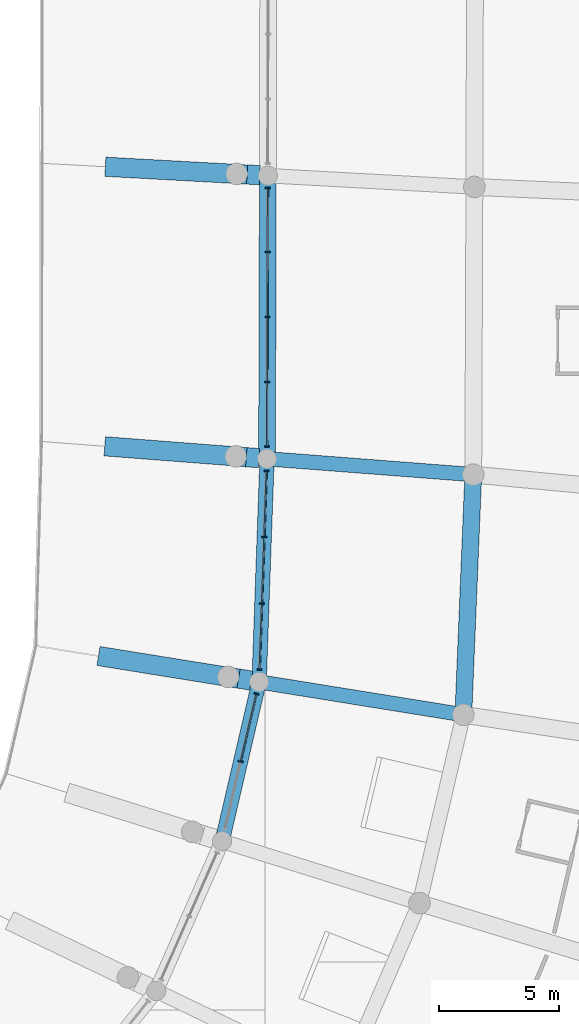
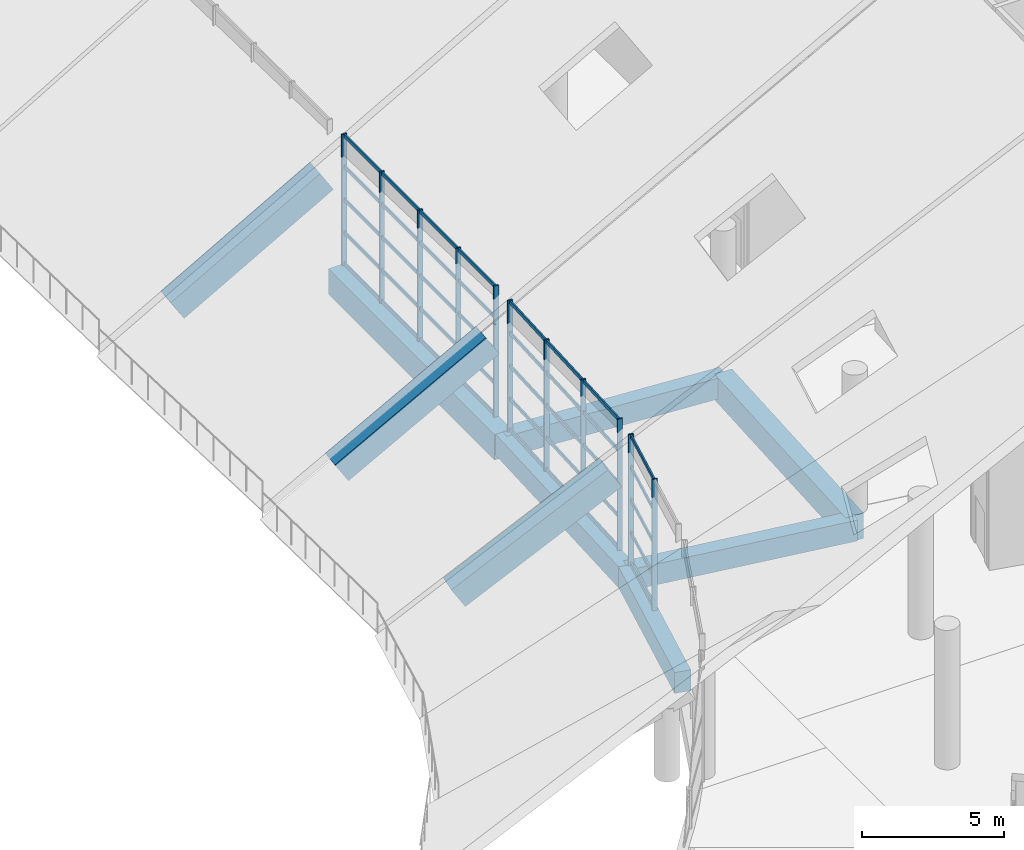
# One storey, part 41 of 249: 51 members, 9 beams, 3 elements without a shape of their own.
"""IFC4 building model written with IfcOpenShell, lengths in metres."""

import ifcopenshell
import ifcopenshell.guid

model = None  # the IFC model being written
_history = None  # IfcOwnerHistory: only IFC2X3 demands one
_inside = {}  # id of a spatial element -> (the spatial element, [elements in it])
_under = {}  # id of a project, library or spatial element -> (it, [spatial elements below it])
_declared = {}  # id of a project -> (the project, [libraries it declares])
_typed = {}  # id of a type object -> (the type object, [elements of that type])
_made_of = {}  # id of a material, layer set ... -> (it, [elements and type objects made of it])


def new_model(schema):
    """Start an empty IFC model of exactly this schema.

    Asked for "IFC4X3", IfcOpenShell would pick the latest addendum, in which some entities
    have other attributes; the version numbers below select the first issue.
    IFC2X3 requires an IfcOwnerHistory on every rooted entity: one is made here for all.
    """
    global model, _history
    if schema == "IFC4X3":
        model = ifcopenshell.file(schema_version=(4, 3, 0, 0))
    else:
        model = ifcopenshell.file(schema=schema)
    _inside.clear()
    _under.clear()
    _declared.clear()
    _typed.clear()
    _made_of.clear()
    _history = None
    if model.schema == "IFC2X3":
        org = make("IfcOrganization", Name="unknown")
        user = make(
            "IfcPersonAndOrganization",
            ThePerson=make("IfcPerson", FamilyName="unknown"),
            TheOrganization=org,
        )
        app = make(
            "IfcApplication",
            ApplicationDeveloper=org,
            Version="unknown",
            ApplicationFullName="unknown",
            ApplicationIdentifier="unknown",
        )
        _history = make(
            "IfcOwnerHistory",
            OwningUser=user,
            OwningApplication=app,
            ChangeAction="ADDED",
            CreationDate=0,
        )
    return model


def make(cls, **values):
    """One entity of the class cls with the attributes given. An attribute that is None is left unset."""
    return model.create_entity(
        cls, **{name: value for name, value in values.items() if value is not None}
    )


def rooted(cls, **values):
    """An entity with a GlobalId (a new one), such as an element, a storey or a relation."""
    return make(cls, GlobalId=ifcopenshell.guid.new(), OwnerHistory=_history, **values)


def si_unit(unit_type, name, prefix=None):
    """IfcSIUnit, for example si_unit("LENGTHUNIT", "METRE", prefix="MILLI")."""
    return make("IfcSIUnit", UnitType=unit_type, Prefix=prefix, Name=name)


def assignment(units):
    """IfcUnitAssignment: the units of a project."""
    return None if units is None else make("IfcUnitAssignment", Units=units)


def point(xyz):
    """IfcCartesianPoint."""
    return None if xyz is None else make("IfcCartesianPoint", Coordinates=xyz)


def direction(xyz):
    """IfcDirection."""
    return None if xyz is None else make("IfcDirection", DirectionRatios=xyz)


def frame(location, z_axis=None, x_axis=None):
    """IfcAxis2Placement3D, a coordinate frame: its origin and axes. An axis left out is left unset."""
    return make(
        "IfcAxis2Placement3D",
        Location=point(location),
        Axis=direction(z_axis),
        RefDirection=direction(x_axis),
    )


def frame_2d(location, x_axis=None):
    """IfcAxis2Placement2D, a coordinate frame in the plane: its origin and x axis."""
    return make(
        "IfcAxis2Placement2D", Location=point(location), RefDirection=direction(x_axis)
    )


def origin():
    """The frame at (0, 0, 0) with its axes left unset."""
    return frame((0.0, 0.0, 0.0))


def origin_2d():
    """The frame at (0, 0) in the plane with its x axis left unset."""
    return frame_2d((0.0, 0.0))


def place(relative_to, where):
    """IfcLocalPlacement: puts the frame where relative to a parent placement (None: the world)."""
    return make(
        "IfcLocalPlacement", PlacementRelTo=relative_to, RelativePlacement=where
    )


def context(
    kind, dimensions, precision=None, world=None, true_north=None, identifier=None
):
    """IfcGeometricRepresentationContext, for example the 3D "Model" context."""
    return make(
        "IfcGeometricRepresentationContext",
        ContextIdentifier=identifier,
        ContextType=kind,
        CoordinateSpaceDimension=dimensions,
        Precision=precision,
        WorldCoordinateSystem=world,
        TrueNorth=true_north,
    )


def subcontext(parent, identifier, kind, view, scale=None):
    """IfcGeometricRepresentationSubContext, for example "Body" below "Model"."""
    return make(
        "IfcGeometricRepresentationSubContext",
        ContextIdentifier=identifier,
        ContextType=kind,
        ParentContext=parent,
        TargetScale=scale,
        TargetView=view,
    )


def project(units=None, contexts=None):
    """IfcProject with its units and contexts."""
    return rooted(
        "IfcProject",
        Name="project",
        RepresentationContexts=contexts,
        UnitsInContext=assignment(units),
    )


def spatial(cls, under=None, at=None, **own):
    """A site, building, storey or space (cls), placed at a placement, below another one or the project."""
    s = rooted(cls, ObjectPlacement=at, **own)
    if under is not None:
        _under.setdefault(under.id(), (under, []))[1].append(s)
    return s


def profile(cls, at=None, kind="AREA", **sizes):
    """A parametric profile (cls). Its sizes go by their IFC names, for example OverallWidth=200.0."""
    return make(cls, ProfileType=kind, Position=at, **sizes)


def rectangle(**sizes):
    """IfcRectangleProfileDef."""
    return profile("IfcRectangleProfileDef", **sizes)


def extrude(swept, where, along, depth):
    """IfcExtrudedAreaSolid: the profile swept, set in the frame where, extruded along a direction by depth."""
    return make(
        "IfcExtrudedAreaSolid",
        SweptArea=swept,
        Position=where,
        ExtrudedDirection=direction(along),
        Depth=depth,
    )


def shape(context_of_items, identifier, shape_type, items):
    """IfcShapeRepresentation: the items that make up one representation, for example the "Body"."""
    return make(
        "IfcShapeRepresentation",
        ContextOfItems=context_of_items,
        RepresentationIdentifier=identifier,
        RepresentationType=shape_type,
        Items=items,
    )


def material(Name=None, Category=None):
    """IfcMaterial."""
    return make("IfcMaterial", Name=Name, Category=Category)


def layer(
    of_material, thickness, ventilated=None, Name=None, Category=None, Priority=None
):
    """IfcMaterialLayer: one layer of a wall or slab, of a material (None: an air gap)."""
    return make(
        "IfcMaterialLayer",
        Material=of_material,
        LayerThickness=thickness,
        IsVentilated=ventilated,
        Name=Name,
        Category=Category,
        Priority=Priority,
    )


def layer_set(layers, Name=None):
    """IfcMaterialLayerSet."""
    return make("IfcMaterialLayerSet", MaterialLayers=layers, LayerSetName=Name)


def material_profile(
    of_material, cross_section, Name=None, Category=None, Priority=None
):
    """IfcMaterialProfile: a cross section and its material."""
    return make(
        "IfcMaterialProfile",
        Name=Name,
        Material=of_material,
        Profile=cross_section,
        Priority=Priority,
        Category=Category,
    )


def profile_set(profiles, Name=None, composite=None):
    """IfcMaterialProfileSet."""
    return make(
        "IfcMaterialProfileSet",
        Name=Name,
        MaterialProfiles=profiles,
        CompositeProfile=composite,
    )


def made_of(thing, what):
    """Note that an element or type object is made of a material, layer set ...; save() writes the relation."""
    if what is not None:
        _made_of.setdefault(what.id(), (what, []))[1].append(thing)
    return thing


def type_object(cls, material=None, **own):
    """A type object (cls), such as IfcWallType, which elements share."""
    return made_of(rooted(cls, **own), material)


def element(
    cls,
    number,
    at=None,
    inside=None,
    cuts=None,
    type_object=None,
    material=None,
    context=None,
    identifier="Body",
    shape_type=None,
    held_by="IfcProductDefinitionShape",
    body=None,
    shapes=None,
    **own,
):
    """One element of the class cls, such as IfcWall. Its Tag is "e" and its number.

    at: its placement. inside: the storey or other place that contains it. cuts: it is an
    opening in that element (IfcRelVoidsElement). A single representation is given by context,
    identifier, shape_type and body (its items); several are given by shapes. held_by: the class
    of the entity that holds the representations. save() writes the other relations.
    """
    e = rooted(cls, Tag="e%d" % number, ObjectPlacement=at, **own)
    if body is not None:
        shapes = [shape(context, identifier, shape_type, body)]
    if shapes is not None:
        e.Representation = make(held_by, Representations=shapes)
    if inside is not None:
        _inside.setdefault(inside.id(), (inside, []))[1].append(e)
    if cuts is not None:
        rooted(
            "IfcRelVoidsElement", RelatingBuildingElement=cuts, RelatedOpeningElement=e
        )
    if type_object is not None:
        _typed.setdefault(type_object.id(), (type_object, []))[1].append(e)
    return made_of(e, material)


def aggregate(whole, parts):
    """IfcRelAggregates: a whole, such as a stair, and the parts it consists of."""
    return rooted("IfcRelAggregates", RelatingObject=whole, RelatedObjects=parts)


def save(model, path):
    """Write the relations noted so far, then the file.

    IfcRelAggregates (storeys below a building ...), IfcRelContainedInSpatialStructure (elements
    in a storey), IfcRelDefinesByType, IfcRelAssociatesMaterial and IfcRelDeclares: one each for
    every whole, place, type object, material and project.
    """
    for whole, parts in _under.values():
        aggregate(whole, parts)
    for where, things in _inside.values():
        rooted(
            "IfcRelContainedInSpatialStructure",
            RelatedElements=things,
            RelatingStructure=where,
        )
    for kind, things in _typed.values():
        rooted("IfcRelDefinesByType", RelatedObjects=things, RelatingType=kind)
    for what, things in _made_of.values():
        rooted("IfcRelAssociatesMaterial", RelatedObjects=things, RelatingMaterial=what)
    for by, libraries in _declared.values():
        rooted("IfcRelDeclares", RelatingContext=by, RelatedDefinitions=libraries)
    model.write(path)


model = new_model("IFC4")

# Units and contexts
model_context = context("Model", 3, precision=1e-05, world=origin(), true_north=direction((0.0, 1.0)))
body_context = subcontext(model_context, "Body", "Model", "MODEL_VIEW")
ifc_project = project(units=[si_unit("LENGTHUNIT", "METRE"), si_unit("AREAUNIT", "SQUARE_METRE"), si_unit("VOLUMEUNIT", "CUBIC_METRE"), si_unit("PLANEANGLEUNIT", "RADIAN"), si_unit("MASSUNIT", "GRAM", prefix="KILO")], contexts=[model_context])

# Site, building, storey
site_placement = place(None, origin())
site = spatial("IfcSite", under=ifc_project, at=site_placement, CompositionType="ELEMENT")
building_placement = place(site_placement, origin())
building = spatial("IfcBuilding", under=site, at=building_placement, Name="Meseta Stadium", CompositionType="ELEMENT")
storey_placement = place(building_placement, frame((0.0, 0.0, 12.0)))
storey = spatial("IfcBuildingStorey", under=building, at=storey_placement, Name="L02", CompositionType="ELEMENT", Elevation=12.0)

# Curtain wall, members
ifc_material_1 = material(Name="Aluminium", Category="aluminium")
ifc_layer = layer(ifc_material_1, 0.199951171875)
ifc_layer_set = layer_set([ifc_layer], Name="Suite glazing curtain wall")
curtain_wall_type = type_object("IfcCurtainWallType", Name="Suite glazing curtain wall", PredefinedType="NOTDEFINED", material=ifc_layer_set)
curtain_wall_1_placement = place(storey_placement, origin())
curtain_wall_1 = element("IfcCurtainWall", 1, at=curtain_wall_1_placement, inside=storey, type_object=curtain_wall_type, Name="Suite glazing bay 00", PredefinedType="NOTDEFINED")
ifc_material_2 = material(Name="Aluminium", Category="aluminium")
ifc_material_profile_1 = material_profile(ifc_material_2, rectangle(XDim=0.199951171875, YDim=0.06005859375, at=origin_2d()), Name="CW 200x60")
ifc_profile_set_1 = profile_set([ifc_material_profile_1], Name="Aluminium")
member_type_1 = type_object("IfcMemberType", Name="CW mullion 60x200", PredefinedType="MULLION", material=ifc_profile_set_1)
member_1_placement = place(storey_placement, frame((64.519775390625, -49.96728515625, 0.0), z_axis=(0.0, 0.0, 1.0), x_axis=(-0.999374260798, 0.035370706156, 0.0)))
member_1 = element("IfcMember", 2, at=member_1_placement, type_object=member_type_1, Name="CWS mullion 1", PredefinedType="MULLION", context=body_context, shape_type="SweptSolid", body=[
    extrude(rectangle(XDim=0.199951171875, YDim=0.06005859375, at=origin_2d()), origin(), (0.0, 0.0, 1.0), 5.64990234375),
])
member_2_placement = place(storey_placement, frame((64.61669921875, -47.225830078125, 0.0), z_axis=(0.0, 0.0, 1.0), x_axis=(-0.999374260798, 0.035370706156, 0.0)))
member_2 = element("IfcMember", 3, at=member_2_placement, type_object=member_type_1, Name="CWS mullion 2", PredefinedType="MULLION", context=body_context, shape_type="SweptSolid", body=[
    extrude(rectangle(XDim=0.199951171875, YDim=0.06005859375, at=origin_2d()), origin(), (0.0, 0.0, 1.0), 5.64990234375),
])
member_3_placement = place(storey_placement, frame((64.71484375, -44.45458984375, 0.0), z_axis=(0.0, 0.0, 1.0), x_axis=(-0.999374260798, 0.035370706156, 0.0)))
member_3 = element("IfcMember", 4, at=member_3_placement, type_object=member_type_1, Name="CWS mullion 3", PredefinedType="MULLION", context=body_context, shape_type="SweptSolid", body=[
    extrude(rectangle(XDim=0.199951171875, YDim=0.06005859375, at=origin_2d()), origin(), (0.0, 0.0, 1.0), 5.64990234375),
])
member_4_placement = place(storey_placement, frame((64.81201171875, -41.713134765625, 0.0), z_axis=(0.0, 0.0, 1.0), x_axis=(-0.999374260798, 0.035370706156, 0.0)))
member_4 = element("IfcMember", 5, at=member_4_placement, type_object=member_type_1, Name="CWS mullion 4", PredefinedType="MULLION", context=body_context, shape_type="SweptSolid", body=[
    extrude(rectangle(XDim=0.199951171875, YDim=0.06005859375, at=origin_2d()), origin(), (0.0, 0.0, 1.0), 5.64990234375),
])

curtain_wall_2_placement = place(storey_placement, origin())
curtain_wall_2 = element("IfcCurtainWall", 6, at=curtain_wall_2_placement, inside=storey, type_object=curtain_wall_type, Name="Suite glazing bay 01", PredefinedType="NOTDEFINED")
member_5_placement = place(storey_placement, frame((64.831298828125, -40.69384765625, 0.0), z_axis=(0.0, 0.0, 1.0), x_axis=(-0.999995765919, 0.002910007458, 0.0)))
member_5 = element("IfcMember", 7, at=member_5_placement, type_object=member_type_1, Name="CWS mullion 1", PredefinedType="MULLION", context=body_context, shape_type="SweptSolid", body=[
    extrude(rectangle(XDim=0.199951171875, YDim=0.06005859375, at=origin_2d()), origin(), (0.0, 0.0, 1.0), 5.64990234375),
])
member_6_placement = place(storey_placement, frame((64.839111328125, -38.02099609375, 0.0), z_axis=(0.0, 0.0, 1.0), x_axis=(-0.999995765919, 0.002910007458, 0.0)))
member_6 = element("IfcMember", 8, at=member_6_placement, type_object=member_type_1, Name="CWS mullion 2", PredefinedType="MULLION", context=body_context, shape_type="SweptSolid", body=[
    extrude(rectangle(XDim=0.199951171875, YDim=0.06005859375, at=origin_2d()), origin(), (0.0, 0.0, 1.0), 5.64990234375),
])
member_7_placement = place(storey_placement, frame((64.846923828125, -35.318359375, 0.0), z_axis=(0.0, 0.0, 1.0), x_axis=(-0.999995765919, 0.002910007458, 0.0)))
member_7 = element("IfcMember", 9, at=member_7_placement, type_object=member_type_1, Name="CWS mullion 3", PredefinedType="MULLION", context=body_context, shape_type="SweptSolid", body=[
    extrude(rectangle(XDim=0.199951171875, YDim=0.06005859375, at=origin_2d()), origin(), (0.0, 0.0, 1.0), 5.64990234375),
])
member_8_placement = place(storey_placement, frame((64.85498046875, -32.61572265625, 0.0), z_axis=(0.0, 0.0, 1.0), x_axis=(-0.999995765919, 0.002910007458, 0.0)))
member_8 = element("IfcMember", 10, at=member_8_placement, type_object=member_type_1, Name="CWS mullion 4", PredefinedType="MULLION", context=body_context, shape_type="SweptSolid", body=[
    extrude(rectangle(XDim=0.199951171875, YDim=0.06005859375, at=origin_2d()), origin(), (0.0, 0.0, 1.0), 5.64990234375),
])
member_9_placement = place(storey_placement, frame((64.86279296875, -29.94287109375, 0.0), z_axis=(0.0, 0.0, 1.0), x_axis=(-0.999995765919, 0.002910007458, 0.0)))
member_9 = element("IfcMember", 11, at=member_9_placement, type_object=member_type_1, Name="CWS mullion 5", PredefinedType="MULLION", context=body_context, shape_type="SweptSolid", body=[
    extrude(rectangle(XDim=0.199951171875, YDim=0.06005859375, at=origin_2d()), origin(), (0.0, 0.0, 1.0), 5.64990234375),
])

curtain_wall_3_placement = place(storey_placement, origin())
curtain_wall_3 = element("IfcCurtainWall", 12, at=curtain_wall_3_placement, inside=storey, type_object=curtain_wall_type, Name="Suite glazing bay 55", PredefinedType="NOTDEFINED")
member_10_placement = place(storey_placement, frame((63.732666015625, -53.7919921875, 0.0), z_axis=(0.0, 0.0, 1.0), x_axis=(-0.974092857522, 0.226148413492, 0.0)))
member_10 = element("IfcMember", 13, at=member_10_placement, type_object=member_type_1, Name="CWS mullion 2", PredefinedType="MULLION", context=body_context, shape_type="SweptSolid", body=[
    extrude(rectangle(XDim=0.199951171875, YDim=0.06005859375, at=origin_2d()), origin(), (0.0, 0.0, 1.0), 5.64990234375),
])
member_11_placement = place(storey_placement, frame((64.38623046875, -50.9765625, 0.0), z_axis=(0.0, 0.0, 1.0), x_axis=(-0.974092857522, 0.226148413492, 0.0)))
member_11 = element("IfcMember", 14, at=member_11_placement, type_object=member_type_1, Name="CWS mullion 3", PredefinedType="MULLION", context=body_context, shape_type="SweptSolid", body=[
    extrude(rectangle(XDim=0.199951171875, YDim=0.06005859375, at=origin_2d()), origin(), (0.0, 0.0, 1.0), 5.64990234375),
])

# Member
ifc_material_3 = material(Name="Aluminium", Category="aluminium")
ifc_material_profile_2 = material_profile(ifc_material_3, rectangle(XDim=0.06005859375, YDim=0.14990234375, at=origin_2d()), Name="CW 60x150")
ifc_profile_set_2 = profile_set([ifc_material_profile_2], Name="Aluminium")
member_type_2 = type_object("IfcMemberType", Name="CW transom 60x150", PredefinedType="USERDEFINED", material=ifc_profile_set_2)
member_12_placement = place(storey_placement, frame((64.520751953125, -49.937255859375, 0.074951171875), z_axis=(0.035396179242, 0.999373358908, 0.0), x_axis=(-0.999373358908, 0.035396179242, 0.0)))
member_12 = element("IfcMember", 15, at=member_12_placement, type_object=member_type_2, Name="CWS transom 1.1", ObjectType="TRANSOM", PredefinedType="USERDEFINED", context=body_context, shape_type="SweptSolid", body=[
    extrude(rectangle(XDim=0.06005859375, YDim=0.14990234375, at=origin_2d()), origin(), (0.0, 0.0, 1.0), 2.68310546875),
])

member_13_placement = place(storey_placement, frame((64.520751953125, -49.937255859375, 1.41259765625), z_axis=(0.035396179242, 0.999373358908, 0.0), x_axis=(-0.999373358908, 0.035396179242, 0.0)))
member_13 = element("IfcMember", 16, at=member_13_placement, type_object=member_type_2, Name="CWS transom 1.2", ObjectType="TRANSOM", PredefinedType="USERDEFINED", context=body_context, shape_type="SweptSolid", body=[
    extrude(rectangle(XDim=0.06005859375, YDim=0.14990234375, at=origin_2d()), origin(), (0.0, 0.0, 1.0), 2.68310546875),
])

member_14_placement = place(storey_placement, frame((64.520751953125, -49.937255859375, 2.824951171875), z_axis=(0.035396179242, 0.999373358908, 0.0), x_axis=(-0.999373358908, 0.035396179242, 0.0)))
member_14 = element("IfcMember", 17, at=member_14_placement, type_object=member_type_2, Name="CWS transom 1.3", ObjectType="TRANSOM", PredefinedType="USERDEFINED", context=body_context, shape_type="SweptSolid", body=[
    extrude(rectangle(XDim=0.06005859375, YDim=0.14990234375, at=origin_2d()), origin(), (0.0, 0.0, 1.0), 2.68310546875),
])

member_15_placement = place(storey_placement, frame((64.520751953125, -49.937255859375, 4.237548828125), z_axis=(0.035396179242, 0.999373358908, 0.0), x_axis=(-0.999373358908, 0.035396179242, 0.0)))
member_15 = element("IfcMember", 18, at=member_15_placement, type_object=member_type_2, Name="CWS transom 1.4", ObjectType="TRANSOM", PredefinedType="USERDEFINED", context=body_context, shape_type="SweptSolid", body=[
    extrude(rectangle(XDim=0.06005859375, YDim=0.14990234375, at=origin_2d()), origin(), (0.0, 0.0, 1.0), 2.68310546875),
])

member_16_placement = place(storey_placement, frame((64.520751953125, -49.937255859375, 5.574951171875), z_axis=(0.035396179242, 0.999373358908, 0.0), x_axis=(-0.999373358908, 0.035396179242, 0.0)))
member_16 = element("IfcMember", 19, at=member_16_placement, type_object=member_type_2, Name="CWS transom 1.5", ObjectType="TRANSOM", PredefinedType="USERDEFINED", context=body_context, shape_type="SweptSolid", body=[
    extrude(rectangle(XDim=0.06005859375, YDim=0.14990234375, at=origin_2d()), origin(), (0.0, 0.0, 1.0), 2.68310546875),
])

member_17_placement = place(storey_placement, frame((64.617919921875, -47.196044921875, 0.074951171875), z_axis=(0.035360963356, 0.999374605576, 0.0), x_axis=(-0.999374605576, 0.035360963356, 0.0)))
member_17 = element("IfcMember", 20, at=member_17_placement, type_object=member_type_2, Name="CWS transom 2.1", ObjectType="TRANSOM", PredefinedType="USERDEFINED", context=body_context, shape_type="SweptSolid", body=[
    extrude(rectangle(XDim=0.06005859375, YDim=0.14990234375, at=origin_2d()), origin(), (0.0, 0.0, 1.0), 2.71337890625),
])

member_18_placement = place(storey_placement, frame((64.617919921875, -47.196044921875, 1.41259765625), z_axis=(0.035360963356, 0.999374605576, 0.0), x_axis=(-0.999374605576, 0.035360963356, 0.0)))
member_18 = element("IfcMember", 21, at=member_18_placement, type_object=member_type_2, Name="CWS transom 2.2", ObjectType="TRANSOM", PredefinedType="USERDEFINED", context=body_context, shape_type="SweptSolid", body=[
    extrude(rectangle(XDim=0.06005859375, YDim=0.14990234375, at=origin_2d()), origin(), (0.0, 0.0, 1.0), 2.71337890625),
])

member_19_placement = place(storey_placement, frame((64.617919921875, -47.196044921875, 2.824951171875), z_axis=(0.035360963356, 0.999374605576, 0.0), x_axis=(-0.999374605576, 0.035360963356, 0.0)))
member_19 = element("IfcMember", 22, at=member_19_placement, type_object=member_type_2, Name="CWS transom 2.3", ObjectType="TRANSOM", PredefinedType="USERDEFINED", context=body_context, shape_type="SweptSolid", body=[
    extrude(rectangle(XDim=0.06005859375, YDim=0.14990234375, at=origin_2d()), origin(), (0.0, 0.0, 1.0), 2.71337890625),
])

member_20_placement = place(storey_placement, frame((64.617919921875, -47.196044921875, 4.237548828125), z_axis=(0.035360963356, 0.999374605576, 0.0), x_axis=(-0.999374605576, 0.035360963356, 0.0)))
member_20 = element("IfcMember", 23, at=member_20_placement, type_object=member_type_2, Name="CWS transom 2.4", ObjectType="TRANSOM", PredefinedType="USERDEFINED", context=body_context, shape_type="SweptSolid", body=[
    extrude(rectangle(XDim=0.06005859375, YDim=0.14990234375, at=origin_2d()), origin(), (0.0, 0.0, 1.0), 2.71337890625),
])

member_21_placement = place(storey_placement, frame((64.617919921875, -47.196044921875, 5.574951171875), z_axis=(0.035360963356, 0.999374605576, 0.0), x_axis=(-0.999374605576, 0.035360963356, 0.0)))
member_21 = element("IfcMember", 24, at=member_21_placement, type_object=member_type_2, Name="CWS transom 2.5", ObjectType="TRANSOM", PredefinedType="USERDEFINED", context=body_context, shape_type="SweptSolid", body=[
    extrude(rectangle(XDim=0.06005859375, YDim=0.14990234375, at=origin_2d()), origin(), (0.0, 0.0, 1.0), 2.71337890625),
])

member_22_placement = place(storey_placement, frame((64.7158203125, -44.424560546875, 0.074951171875), z_axis=(0.035392960757, 0.999373472896, 0.0), x_axis=(-0.999373472896, 0.035392960757, 0.0)))
member_22 = element("IfcMember", 25, at=member_22_placement, type_object=member_type_2, Name="CWS transom 3.1", ObjectType="TRANSOM", PredefinedType="USERDEFINED", context=body_context, shape_type="SweptSolid", body=[
    extrude(rectangle(XDim=0.06005859375, YDim=0.14990234375, at=origin_2d()), origin(), (0.0, 0.0, 1.0), 2.683349609375),
])

member_23_placement = place(storey_placement, frame((64.7158203125, -44.424560546875, 1.41259765625), z_axis=(0.035392960757, 0.999373472896, 0.0), x_axis=(-0.999373472896, 0.035392960757, 0.0)))
member_23 = element("IfcMember", 26, at=member_23_placement, type_object=member_type_2, Name="CWS transom 3.2", ObjectType="TRANSOM", PredefinedType="USERDEFINED", context=body_context, shape_type="SweptSolid", body=[
    extrude(rectangle(XDim=0.06005859375, YDim=0.14990234375, at=origin_2d()), origin(), (0.0, 0.0, 1.0), 2.683349609375),
])

member_24_placement = place(storey_placement, frame((64.7158203125, -44.424560546875, 2.824951171875), z_axis=(0.035392960757, 0.999373472896, 0.0), x_axis=(-0.999373472896, 0.035392960757, 0.0)))
member_24 = element("IfcMember", 27, at=member_24_placement, type_object=member_type_2, Name="CWS transom 3.3", ObjectType="TRANSOM", PredefinedType="USERDEFINED", context=body_context, shape_type="SweptSolid", body=[
    extrude(rectangle(XDim=0.06005859375, YDim=0.14990234375, at=origin_2d()), origin(), (0.0, 0.0, 1.0), 2.683349609375),
])

member_25_placement = place(storey_placement, frame((64.7158203125, -44.424560546875, 4.237548828125), z_axis=(0.035392960757, 0.999373472896, 0.0), x_axis=(-0.999373472896, 0.035392960757, 0.0)))
member_25 = element("IfcMember", 28, at=member_25_placement, type_object=member_type_2, Name="CWS transom 3.4", ObjectType="TRANSOM", PredefinedType="USERDEFINED", context=body_context, shape_type="SweptSolid", body=[
    extrude(rectangle(XDim=0.06005859375, YDim=0.14990234375, at=origin_2d()), origin(), (0.0, 0.0, 1.0), 2.683349609375),
])

member_26_placement = place(storey_placement, frame((64.7158203125, -44.424560546875, 5.574951171875), z_axis=(0.035392960757, 0.999373472896, 0.0), x_axis=(-0.999373472896, 0.035392960757, 0.0)))
member_26 = element("IfcMember", 29, at=member_26_placement, type_object=member_type_2, Name="CWS transom 3.5", ObjectType="TRANSOM", PredefinedType="USERDEFINED", context=body_context, shape_type="SweptSolid", body=[
    extrude(rectangle(XDim=0.06005859375, YDim=0.14990234375, at=origin_2d()), origin(), (0.0, 0.0, 1.0), 2.683349609375),
])

aggregate(curtain_wall_1, [member_1, member_2, member_3, member_4, member_12, member_13, member_14, member_15, member_16, member_17, member_18, member_19, member_20, member_21, member_22, member_23, member_24, member_25, member_26])

member_27_placement = place(storey_placement, frame((64.83154296875, -40.663818359375, 0.074951171875), z_axis=(0.002896642679, 0.999995804722, 0.0), x_axis=(-0.999995804722, 0.002896642679, 0.0)))
member_27 = element("IfcMember", 30, at=member_27_placement, type_object=member_type_2, Name="CWS transom 1.1", ObjectType="TRANSOM", PredefinedType="USERDEFINED", context=body_context, shape_type="SweptSolid", body=[
    extrude(rectangle(XDim=0.06005859375, YDim=0.14990234375, at=origin_2d()), origin(), (0.0, 0.0, 1.0), 2.61279296875),
])

member_28_placement = place(storey_placement, frame((64.83154296875, -40.663818359375, 1.41259765625), z_axis=(0.002896642679, 0.999995804722, 0.0), x_axis=(-0.999995804722, 0.002896642679, 0.0)))
member_28 = element("IfcMember", 31, at=member_28_placement, type_object=member_type_2, Name="CWS transom 1.2", ObjectType="TRANSOM", PredefinedType="USERDEFINED", context=body_context, shape_type="SweptSolid", body=[
    extrude(rectangle(XDim=0.06005859375, YDim=0.14990234375, at=origin_2d()), origin(), (0.0, 0.0, 1.0), 2.61279296875),
])

member_29_placement = place(storey_placement, frame((64.83154296875, -40.663818359375, 2.824951171875), z_axis=(0.002896642679, 0.999995804722, 0.0), x_axis=(-0.999995804722, 0.002896642679, 0.0)))
member_29 = element("IfcMember", 32, at=member_29_placement, type_object=member_type_2, Name="CWS transom 1.3", ObjectType="TRANSOM", PredefinedType="USERDEFINED", context=body_context, shape_type="SweptSolid", body=[
    extrude(rectangle(XDim=0.06005859375, YDim=0.14990234375, at=origin_2d()), origin(), (0.0, 0.0, 1.0), 2.61279296875),
])

member_30_placement = place(storey_placement, frame((64.83154296875, -40.663818359375, 4.237548828125), z_axis=(0.002896642679, 0.999995804722, 0.0), x_axis=(-0.999995804722, 0.002896642679, 0.0)))
member_30 = element("IfcMember", 33, at=member_30_placement, type_object=member_type_2, Name="CWS transom 1.4", ObjectType="TRANSOM", PredefinedType="USERDEFINED", context=body_context, shape_type="SweptSolid", body=[
    extrude(rectangle(XDim=0.06005859375, YDim=0.14990234375, at=origin_2d()), origin(), (0.0, 0.0, 1.0), 2.61279296875),
])

member_31_placement = place(storey_placement, frame((64.83154296875, -40.663818359375, 5.574951171875), z_axis=(0.002896642679, 0.999995804722, 0.0), x_axis=(-0.999995804722, 0.002896642679, 0.0)))
member_31 = element("IfcMember", 34, at=member_31_placement, type_object=member_type_2, Name="CWS transom 1.5", ObjectType="TRANSOM", PredefinedType="USERDEFINED", context=body_context, shape_type="SweptSolid", body=[
    extrude(rectangle(XDim=0.06005859375, YDim=0.14990234375, at=origin_2d()), origin(), (0.0, 0.0, 1.0), 2.61279296875),
])

member_32_placement = place(storey_placement, frame((64.83935546875, -37.990966796875, 0.074951171875), z_axis=(0.002863994167, 0.99999589876, 0.0), x_axis=(-0.99999589876, 0.002863994167, 0.0)))
member_32 = element("IfcMember", 35, at=member_32_placement, type_object=member_type_2, Name="CWS transom 2.1", ObjectType="TRANSOM", PredefinedType="USERDEFINED", context=body_context, shape_type="SweptSolid", body=[
    extrude(rectangle(XDim=0.06005859375, YDim=0.14990234375, at=origin_2d()), origin(), (0.0, 0.0, 1.0), 2.642578125),
])

member_33_placement = place(storey_placement, frame((64.83935546875, -37.990966796875, 1.41259765625), z_axis=(0.002863994167, 0.99999589876, 0.0), x_axis=(-0.99999589876, 0.002863994167, 0.0)))
member_33 = element("IfcMember", 36, at=member_33_placement, type_object=member_type_2, Name="CWS transom 2.2", ObjectType="TRANSOM", PredefinedType="USERDEFINED", context=body_context, shape_type="SweptSolid", body=[
    extrude(rectangle(XDim=0.06005859375, YDim=0.14990234375, at=origin_2d()), origin(), (0.0, 0.0, 1.0), 2.642578125),
])

member_34_placement = place(storey_placement, frame((64.83935546875, -37.990966796875, 2.824951171875), z_axis=(0.002863994167, 0.99999589876, 0.0), x_axis=(-0.99999589876, 0.002863994167, 0.0)))
member_34 = element("IfcMember", 37, at=member_34_placement, type_object=member_type_2, Name="CWS transom 2.3", ObjectType="TRANSOM", PredefinedType="USERDEFINED", context=body_context, shape_type="SweptSolid", body=[
    extrude(rectangle(XDim=0.06005859375, YDim=0.14990234375, at=origin_2d()), origin(), (0.0, 0.0, 1.0), 2.642578125),
])

member_35_placement = place(storey_placement, frame((64.83935546875, -37.990966796875, 4.237548828125), z_axis=(0.002863994167, 0.99999589876, 0.0), x_axis=(-0.99999589876, 0.002863994167, 0.0)))
member_35 = element("IfcMember", 38, at=member_35_placement, type_object=member_type_2, Name="CWS transom 2.4", ObjectType="TRANSOM", PredefinedType="USERDEFINED", context=body_context, shape_type="SweptSolid", body=[
    extrude(rectangle(XDim=0.06005859375, YDim=0.14990234375, at=origin_2d()), origin(), (0.0, 0.0, 1.0), 2.642578125),
])

member_36_placement = place(storey_placement, frame((64.83935546875, -37.990966796875, 5.574951171875), z_axis=(0.002863994167, 0.99999589876, 0.0), x_axis=(-0.99999589876, 0.002863994167, 0.0)))
member_36 = element("IfcMember", 39, at=member_36_placement, type_object=member_type_2, Name="CWS transom 2.5", ObjectType="TRANSOM", PredefinedType="USERDEFINED", context=body_context, shape_type="SweptSolid", body=[
    extrude(rectangle(XDim=0.06005859375, YDim=0.14990234375, at=origin_2d()), origin(), (0.0, 0.0, 1.0), 2.642578125),
])

member_37_placement = place(storey_placement, frame((64.84716796875, -35.288330078125, 0.074951171875), z_axis=(0.002863994167, 0.99999589876, 0.0), x_axis=(-0.99999589876, 0.002863994167, 0.0)))
member_37 = element("IfcMember", 40, at=member_37_placement, type_object=member_type_2, Name="CWS transom 3.1", ObjectType="TRANSOM", PredefinedType="USERDEFINED", context=body_context, shape_type="SweptSolid", body=[
    extrude(rectangle(XDim=0.06005859375, YDim=0.14990234375, at=origin_2d()), origin(), (0.0, 0.0, 1.0), 2.642578125),
])

member_38_placement = place(storey_placement, frame((64.84716796875, -35.288330078125, 1.41259765625), z_axis=(0.002863994167, 0.99999589876, 0.0), x_axis=(-0.99999589876, 0.002863994167, 0.0)))
member_38 = element("IfcMember", 41, at=member_38_placement, type_object=member_type_2, Name="CWS transom 3.2", ObjectType="TRANSOM", PredefinedType="USERDEFINED", context=body_context, shape_type="SweptSolid", body=[
    extrude(rectangle(XDim=0.06005859375, YDim=0.14990234375, at=origin_2d()), origin(), (0.0, 0.0, 1.0), 2.642578125),
])

member_39_placement = place(storey_placement, frame((64.84716796875, -35.288330078125, 2.824951171875), z_axis=(0.002863994167, 0.99999589876, 0.0), x_axis=(-0.99999589876, 0.002863994167, 0.0)))
member_39 = element("IfcMember", 42, at=member_39_placement, type_object=member_type_2, Name="CWS transom 3.3", ObjectType="TRANSOM", PredefinedType="USERDEFINED", context=body_context, shape_type="SweptSolid", body=[
    extrude(rectangle(XDim=0.06005859375, YDim=0.14990234375, at=origin_2d()), origin(), (0.0, 0.0, 1.0), 2.642578125),
])

member_40_placement = place(storey_placement, frame((64.84716796875, -35.288330078125, 4.237548828125), z_axis=(0.002863994167, 0.99999589876, 0.0), x_axis=(-0.99999589876, 0.002863994167, 0.0)))
member_40 = element("IfcMember", 43, at=member_40_placement, type_object=member_type_2, Name="CWS transom 3.4", ObjectType="TRANSOM", PredefinedType="USERDEFINED", context=body_context, shape_type="SweptSolid", body=[
    extrude(rectangle(XDim=0.06005859375, YDim=0.14990234375, at=origin_2d()), origin(), (0.0, 0.0, 1.0), 2.642578125),
])

member_41_placement = place(storey_placement, frame((64.84716796875, -35.288330078125, 5.574951171875), z_axis=(0.002863994167, 0.99999589876, 0.0), x_axis=(-0.99999589876, 0.002863994167, 0.0)))
member_41 = element("IfcMember", 44, at=member_41_placement, type_object=member_type_2, Name="CWS transom 3.5", ObjectType="TRANSOM", PredefinedType="USERDEFINED", context=body_context, shape_type="SweptSolid", body=[
    extrude(rectangle(XDim=0.06005859375, YDim=0.14990234375, at=origin_2d()), origin(), (0.0, 0.0, 1.0), 2.642578125),
])

member_42_placement = place(storey_placement, frame((64.85498046875, -32.585693359375, 0.074951171875), z_axis=(0.002896642679, 0.999995804722, 0.0), x_axis=(-0.999995804722, 0.002896642679, 0.0)))
member_42 = element("IfcMember", 45, at=member_42_placement, type_object=member_type_2, Name="CWS transom 4.1", ObjectType="TRANSOM", PredefinedType="USERDEFINED", context=body_context, shape_type="SweptSolid", body=[
    extrude(rectangle(XDim=0.06005859375, YDim=0.14990234375, at=origin_2d()), origin(), (0.0, 0.0, 1.0), 2.61279296875),
])

member_43_placement = place(storey_placement, frame((64.85498046875, -32.585693359375, 1.41259765625), z_axis=(0.002896642679, 0.999995804722, 0.0), x_axis=(-0.999995804722, 0.002896642679, 0.0)))
member_43 = element("IfcMember", 46, at=member_43_placement, type_object=member_type_2, Name="CWS transom 4.2", ObjectType="TRANSOM", PredefinedType="USERDEFINED", context=body_context, shape_type="SweptSolid", body=[
    extrude(rectangle(XDim=0.06005859375, YDim=0.14990234375, at=origin_2d()), origin(), (0.0, 0.0, 1.0), 2.61279296875),
])

member_44_placement = place(storey_placement, frame((64.85498046875, -32.585693359375, 2.824951171875), z_axis=(0.002896642679, 0.999995804722, 0.0), x_axis=(-0.999995804722, 0.002896642679, 0.0)))
member_44 = element("IfcMember", 47, at=member_44_placement, type_object=member_type_2, Name="CWS transom 4.3", ObjectType="TRANSOM", PredefinedType="USERDEFINED", context=body_context, shape_type="SweptSolid", body=[
    extrude(rectangle(XDim=0.06005859375, YDim=0.14990234375, at=origin_2d()), origin(), (0.0, 0.0, 1.0), 2.61279296875),
])

member_45_placement = place(storey_placement, frame((64.85498046875, -32.585693359375, 4.237548828125), z_axis=(0.002896642679, 0.999995804722, 0.0), x_axis=(-0.999995804722, 0.002896642679, 0.0)))
member_45 = element("IfcMember", 48, at=member_45_placement, type_object=member_type_2, Name="CWS transom 4.4", ObjectType="TRANSOM", PredefinedType="USERDEFINED", context=body_context, shape_type="SweptSolid", body=[
    extrude(rectangle(XDim=0.06005859375, YDim=0.14990234375, at=origin_2d()), origin(), (0.0, 0.0, 1.0), 2.61279296875),
])

member_46_placement = place(storey_placement, frame((64.85498046875, -32.585693359375, 5.574951171875), z_axis=(0.002896642679, 0.999995804722, 0.0), x_axis=(-0.999995804722, 0.002896642679, 0.0)))
member_46 = element("IfcMember", 49, at=member_46_placement, type_object=member_type_2, Name="CWS transom 4.5", ObjectType="TRANSOM", PredefinedType="USERDEFINED", context=body_context, shape_type="SweptSolid", body=[
    extrude(rectangle(XDim=0.06005859375, YDim=0.14990234375, at=origin_2d()), origin(), (0.0, 0.0, 1.0), 2.61279296875),
])

aggregate(curtain_wall_2, [member_5, member_6, member_7, member_8, member_9, member_27, member_28, member_29, member_30, member_31, member_32, member_33, member_34, member_35, member_36, member_37, member_38, member_39, member_40, member_41, member_42, member_43, member_44, member_45, member_46])

member_47_placement = place(storey_placement, frame((63.739501953125, -53.7626953125, 0.074951171875), z_axis=(0.226100473584, 0.974103986156, 0.0), x_axis=(-0.974103986156, 0.226100473584, 0.0)))
member_47 = element("IfcMember", 50, at=member_47_placement, type_object=member_type_2, Name="CWS transom 2.1", ObjectType="TRANSOM", PredefinedType="USERDEFINED", context=body_context, shape_type="SweptSolid", body=[
    extrude(rectangle(XDim=0.06005859375, YDim=0.14990234375, at=origin_2d()), origin(), (0.0, 0.0, 1.0), 2.830078125),
])

member_48_placement = place(storey_placement, frame((63.739501953125, -53.7626953125, 1.41259765625), z_axis=(0.226100473584, 0.974103986156, 0.0), x_axis=(-0.974103986156, 0.226100473584, 0.0)))
member_48 = element("IfcMember", 51, at=member_48_placement, type_object=member_type_2, Name="CWS transom 2.2", ObjectType="TRANSOM", PredefinedType="USERDEFINED", context=body_context, shape_type="SweptSolid", body=[
    extrude(rectangle(XDim=0.06005859375, YDim=0.14990234375, at=origin_2d()), origin(), (0.0, 0.0, 1.0), 2.830078125),
])

member_49_placement = place(storey_placement, frame((63.739501953125, -53.7626953125, 2.824951171875), z_axis=(0.226100473584, 0.974103986156, 0.0), x_axis=(-0.974103986156, 0.226100473584, 0.0)))
member_49 = element("IfcMember", 52, at=member_49_placement, type_object=member_type_2, Name="CWS transom 2.3", ObjectType="TRANSOM", PredefinedType="USERDEFINED", context=body_context, shape_type="SweptSolid", body=[
    extrude(rectangle(XDim=0.06005859375, YDim=0.14990234375, at=origin_2d()), origin(), (0.0, 0.0, 1.0), 2.830078125),
])

member_50_placement = place(storey_placement, frame((63.739501953125, -53.7626953125, 4.237548828125), z_axis=(0.226100473584, 0.974103986156, 0.0), x_axis=(-0.974103986156, 0.226100473584, 0.0)))
member_50 = element("IfcMember", 53, at=member_50_placement, type_object=member_type_2, Name="CWS transom 2.4", ObjectType="TRANSOM", PredefinedType="USERDEFINED", context=body_context, shape_type="SweptSolid", body=[
    extrude(rectangle(XDim=0.06005859375, YDim=0.14990234375, at=origin_2d()), origin(), (0.0, 0.0, 1.0), 2.830078125),
])

member_51_placement = place(storey_placement, frame((63.739501953125, -53.7626953125, 5.574951171875), z_axis=(0.226100473584, 0.974103986156, 0.0), x_axis=(-0.974103986156, 0.226100473584, 0.0)))
member_51 = element("IfcMember", 54, at=member_51_placement, type_object=member_type_2, Name="CWS transom 2.5", ObjectType="TRANSOM", PredefinedType="USERDEFINED", context=body_context, shape_type="SweptSolid", body=[
    extrude(rectangle(XDim=0.06005859375, YDim=0.14990234375, at=origin_2d()), origin(), (0.0, 0.0, 1.0), 2.830078125),
])

aggregate(curtain_wall_3, [member_10, member_11, member_47, member_48, member_49, member_50, member_51])

# Beams
ifc_material_4 = material(Name="Concrete C40/50", Category="concrete")
ifc_material_profile_3 = material_profile(ifc_material_4, rectangle(XDim=0.60009765625, YDim=0.89990234375, at=origin_2d()), Name="RC 600x900")
ifc_profile_set_3 = profile_set([ifc_material_profile_3], Name="Concrete C40/50")
beam_type_1 = type_object("IfcBeamType", Name="RC beam 600x900", PredefinedType="BEAM", material=ifc_profile_set_3)
beam_1_placement = place(storey_placement, frame((64.501708984375, -50.479736328125, -0.800048828125), z_axis=(0.035352824386, 0.999374893525, 0.0), x_axis=(-0.999374893525, 0.035352824386, 0.0)))
element("IfcBeam", 55, at=beam_1_placement, inside=storey, type_object=beam_type_1, Name="L02 ring beam frame 0 line D", PredefinedType="BEAM", context=body_context, shape_type="SweptSolid", body=[
    extrude(rectangle(XDim=0.60009765625, YDim=0.89990234375, at=origin_2d()), origin(), (0.0, 0.0, 1.0), 9.281494140625),
])
beam_2_placement = place(storey_placement, frame((62.963623046875, -57.1044921875, -0.800048828125), z_axis=(0.226157078617, 0.974090845759, 0.0), x_axis=(-0.974090845759, 0.226157078617, 0.0)))
element("IfcBeam", 56, at=beam_2_placement, inside=storey, type_object=beam_type_1, Name="L02 ring beam frame 55 line D", PredefinedType="BEAM", context=body_context, shape_type="SweptSolid", body=[
    extrude(rectangle(XDim=0.60009765625, YDim=0.89990234375, at=origin_2d()), origin(), (0.0, 0.0, 1.0), 6.801025390625),
])
beam_3_placement = place(storey_placement, frame((64.501708984375, -50.479736328125, -0.800048828125), z_axis=(0.987277660392, -0.159005727229, 0.0), x_axis=(0.159005727229, 0.987277660392, 0.0)))
element("IfcBeam", 57, at=beam_3_placement, inside=storey, type_object=beam_type_1, Name="L02 radial beam frame 0 line D to E", PredefinedType="BEAM", context=body_context, shape_type="SweptSolid", body=[
    extrude(rectangle(XDim=0.60009765625, YDim=0.89990234375, at=origin_2d()), origin(), (0.0, 0.0, 1.0), 8.599853515625),
])
beam_4_placement = place(storey_placement, frame((64.829833984375, -41.2041015625, -0.800048828125), z_axis=(0.997066996267, -0.076533685105, 0.0), x_axis=(0.076533685105, 0.997066996267, 0.0)))
element("IfcBeam", 58, at=beam_4_placement, inside=storey, type_object=beam_type_1, Name="L02 radial beam frame 1 line D to E", PredefinedType="BEAM", context=body_context, shape_type="SweptSolid", body=[
    extrude(rectangle(XDim=0.60009765625, YDim=0.89990234375, at=origin_2d()), origin(), (0.0, 0.0, 1.0), 8.60009765625),
])
ifc_material_5 = material(Name="Concrete C40/50", Category="concrete")
ifc_material_profile_4 = material_profile(ifc_material_5, rectangle(XDim=0.699951171875, YDim=1.10009765625, at=origin_2d()), Name="RC 700x1100")
ifc_profile_set_4 = profile_set([ifc_material_profile_4], Name="Concrete C40/50")
beam_type_2 = type_object("IfcBeamType", Name="RC beam 700x1100", PredefinedType="BEAM", material=ifc_profile_set_4)
beam_5_placement = place(storey_placement, frame((72.9921875, -51.84716796875, -0.89990234375), z_axis=(0.041287079546, 0.999147325004, 0.0), x_axis=(-0.999147325004, 0.041287079546, 0.0)))
element("IfcBeam", 59, at=beam_5_placement, inside=storey, type_object=beam_type_2, Name="L02 ring beam frame 0 line E", PredefinedType="BEAM", context=body_context, shape_type="SweptSolid", body=[
    extrude(rectangle(XDim=0.699951171875, YDim=1.10009765625, at=origin_2d()), origin(), (0.0, 0.0, 1.0), 9.993408203125),
])
beam_6_placement = place(storey_placement, frame((64.829833984375, -41.2041015625, -0.89990234375), z_axis=(0.002924509925, 0.999995723612, 0.0), x_axis=(-0.999995723612, 0.002924509925, 0.0)))
element("IfcBeam", 60, at=beam_6_placement, inside=storey, type_object=beam_type_2, Name="L02 ring beam frame 1 line D", PredefinedType="BEAM", context=body_context, shape_type="SweptSolid", body=[
    extrude(rectangle(XDim=0.699951171875, YDim=1.10009765625, at=origin_2d()), origin(), (0.0, 0.0, 1.0), 11.770751953125),
])
ifc_material_6 = material(Name="Concrete C40/50", Category="concrete")
ifc_material_profile_5 = material_profile(ifc_material_6, rectangle(XDim=0.800048828125, YDim=1.0, at=origin_2d()), Name="RC 800x1000")
ifc_profile_set_5 = profile_set([ifc_material_profile_5], Name="Concrete C40/50")
beam_type_3 = type_object("IfcBeamType", Name="RC raker upper front 800x1000", PredefinedType="USERDEFINED", material=ifc_profile_set_5)
beam_7_placement = place(storey_placement, frame((58.084228515625, -49.4462890625, 0.111083984375), z_axis=(0.837415099284, -0.134848435033, 0.529671455773), x_axis=(0.158981342824, 0.987281587306, 0.0)))
element("IfcBeam", 61, at=beam_7_placement, inside=storey, type_object=beam_type_3, Name="Raker upper front frame 0 upper tier", ObjectType="RAKER", PredefinedType="USERDEFINED", context=body_context, shape_type="SweptSolid", body=[
    extrude(rectangle(XDim=0.800048828125, YDim=1.0, at=origin_2d()), origin(), (0.0, 0.0, 1.0), 6.955810546875),
])
beam_8_placement = place(storey_placement, frame((58.34912109375, -40.70654296875, 0.103271484375), z_axis=(0.845520766678, -0.064918589681, 0.5299813297), x_axis=(0.076554100174, 0.99706542902, 0.0)))
element("IfcBeam", 62, at=beam_8_placement, inside=storey, type_object=beam_type_3, Name="Raker upper front frame 1 upper tier", ObjectType="RAKER", PredefinedType="USERDEFINED", context=body_context, shape_type="SweptSolid", body=[
    extrude(rectangle(XDim=0.800048828125, YDim=1.0, at=origin_2d()), origin(), (0.0, 0.0, 1.0), 6.957275390625),
])
beam_9_placement = place(storey_placement, frame((58.373779296875, -29.077392578125, 0.026611328125), z_axis=(0.846750700545, -0.046423736141, 0.52996045876), x_axis=(0.054743528807, 0.9985004487, 0.0)))
element("IfcBeam", 63, at=beam_9_placement, inside=storey, type_object=beam_type_3, Name="Raker upper front frame 2 upper tier", ObjectType="RAKER", PredefinedType="USERDEFINED", context=body_context, shape_type="SweptSolid", body=[
    extrude(rectangle(XDim=0.800048828125, YDim=1.0, at=origin_2d()), origin(), (0.0, 0.0, 1.0), 6.95751953125),
])

save(model, "model.ifc")
